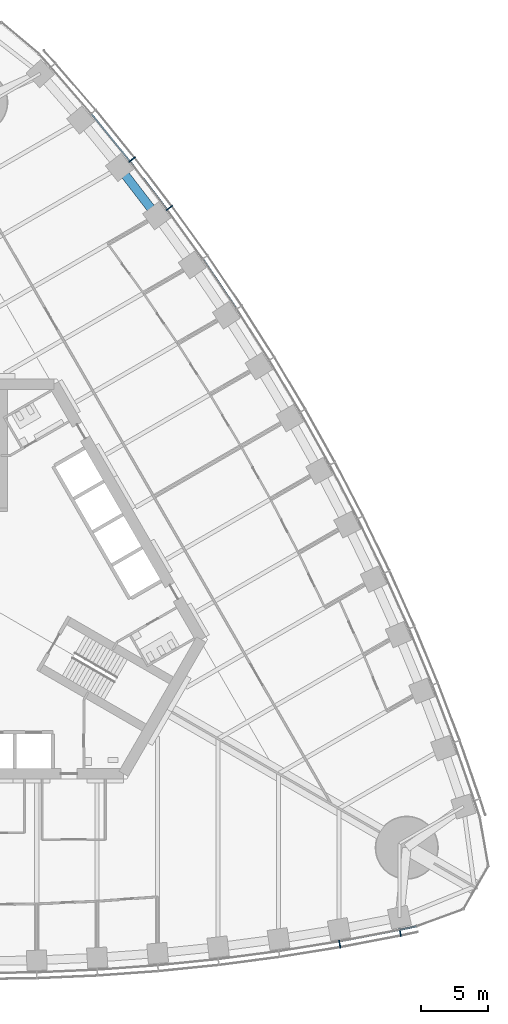
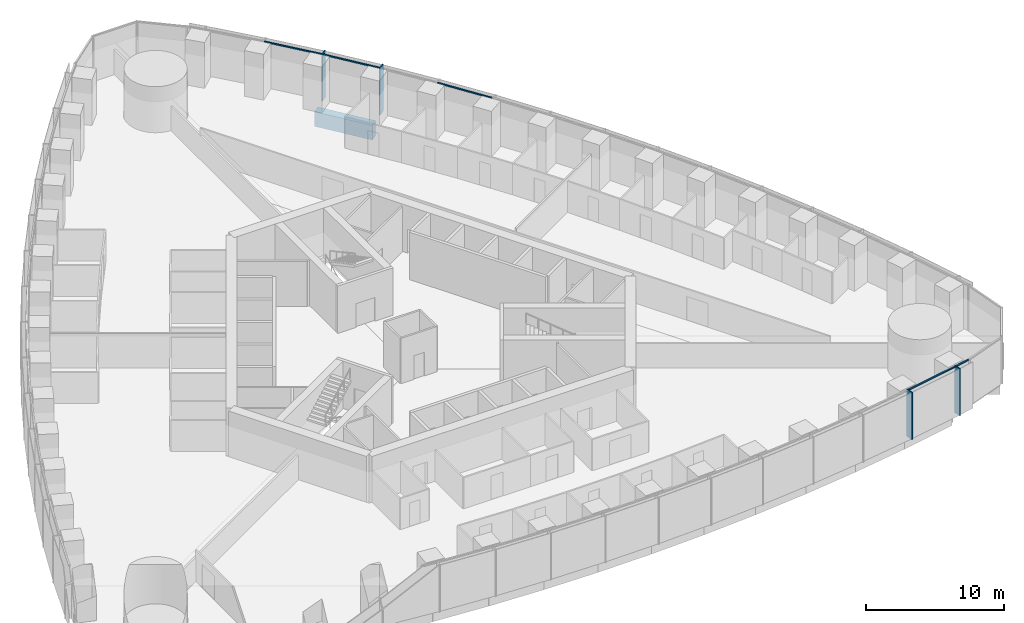
# One storey, part 5 of 18: 9 members, 1 beam, 2 elements without a shape of their own.
"""IFC4 building model written with IfcOpenShell, lengths in metres."""

from ifc_helpers import new_model, si_unit, direction, frame, origin, origin_2d, place, context, subcontext, project, spatial, rectangle, extrude, material, material_profile, profile_set, type_object, element, aggregate, save


model = new_model("IFC4")

# Units and contexts
model_context = context("Model", 3, precision=1e-05, world=origin(), true_north=direction((0.0, 1.0)))
body_context = subcontext(model_context, "Body", "Model", "MODEL_VIEW")
ifc_project = project(units=[si_unit("LENGTHUNIT", "METRE"), si_unit("AREAUNIT", "SQUARE_METRE"), si_unit("VOLUMEUNIT", "CUBIC_METRE"), si_unit("PLANEANGLEUNIT", "RADIAN"), si_unit("MASSUNIT", "GRAM", prefix="KILO")], contexts=[model_context])

# Site, building, storey
site_placement = place(None, origin())
site = spatial("IfcSite", under=ifc_project, at=site_placement, CompositionType="ELEMENT")
building_placement = place(site_placement, origin())
building = spatial("IfcBuilding", under=site, at=building_placement, Name="Trefoil Bronze Tower", CompositionType="ELEMENT")
storey_placement = place(building_placement, frame((0.0, 0.0, 41.699951171875)))
storey = spatial("IfcBuildingStorey", under=building, at=storey_placement, Name="L09", CompositionType="ELEMENT", Elevation=41.699951171875)

# Curtain wall, members
ifc_material_1 = material(Name="Tinted solar-control glass", Category="glass")
curtain_wall_type = type_object("IfcCurtainWallType", Name="Bronze office curtain wall", PredefinedType="USERDEFINED", material=ifc_material_1)
curtain_wall_1_placement = place(storey_placement, origin())
curtain_wall_1 = element("IfcCurtainWall", 1, at=curtain_wall_1_placement, inside=storey, type_object=curtain_wall_type, Name="CW-A L09 F1", ObjectType="CURTAIN WALL", PredefinedType="USERDEFINED")
ifc_material_2 = material(Name="Bronze-finish aluminium", Category="aluminium")
ifc_material_profile_1 = material_profile(ifc_material_2, rectangle(XDim=0.60009765625, YDim=0.080078125, at=origin_2d()), Name="CW-A mullion")
ifc_profile_set_1 = profile_set([ifc_material_profile_1], Name="Bronze-finish aluminium")
member_type_1 = type_object("IfcMemberType", Name="Bronze office curtain wall mullion", PredefinedType="MULLION", material=ifc_profile_set_1)
member_1_placement = place(storey_placement, frame((27.05224609375, -25.67578125, 0.0), z_axis=(0.0, 0.0, 1.0), x_axis=(-0.174131146426, 0.984722470468, 0.0)))
member_1 = element("IfcMember", 2, at=member_1_placement, type_object=member_type_1, Name="CW-A L09 F1 mullion 15", PredefinedType="MULLION", context=body_context, shape_type="SweptSolid", body=[
    extrude(rectangle(XDim=0.60009765625, YDim=0.080078125, at=origin_2d()), origin(), (0.0, 0.0, 1.0), 4.179931640625),
])
member_2_placement = place(storey_placement, frame((31.559326171875, -24.81005859375, 0.0), z_axis=(0.0, 0.0, 1.0), x_axis=(-0.197910006829, 0.98022019424, 0.0)))
member_2 = element("IfcMember", 3, at=member_2_placement, type_object=member_type_1, Name="CW-A L09 F1 mullion 16", PredefinedType="MULLION", context=body_context, shape_type="SweptSolid", body=[
    extrude(rectangle(XDim=0.60009765625, YDim=0.080078125, at=origin_2d()), origin(), (0.0, 0.0, 1.0), 4.179931640625),
])

curtain_wall_2_placement = place(storey_placement, origin())
curtain_wall_2 = element("IfcCurtainWall", 4, at=curtain_wall_2_placement, inside=storey, type_object=curtain_wall_type, Name="CW-A L09 F2", ObjectType="CURTAIN WALL", PredefinedType="USERDEFINED")
member_3_placement = place(storey_placement, frame((14.364013671875, 29.117919921875, 0.0), z_axis=(0.0, 0.0, 1.0), x_axis=(-0.802126748469, -0.59715381552, 0.0)))
member_3 = element("IfcMember", 5, at=member_3_placement, type_object=member_type_1, Name="CW-A L09 F2 mullion 13", PredefinedType="MULLION", context=body_context, shape_type="SweptSolid", body=[
    extrude(rectangle(XDim=0.60009765625, YDim=0.080078125, at=origin_2d()), origin(), (0.0, 0.0, 1.0), 4.179931640625),
])
member_4_placement = place(storey_placement, frame((11.595458984375, 32.7255859375, 0.0), z_axis=(0.0, 0.0, 1.0), x_axis=(-0.784304615744, -0.620375910011, 0.0)))
member_4 = element("IfcMember", 6, at=member_4_placement, type_object=member_type_1, Name="CW-A L09 F2 mullion 14", PredefinedType="MULLION", context=body_context, shape_type="SweptSolid", body=[
    extrude(rectangle(XDim=0.60009765625, YDim=0.080078125, at=origin_2d()), origin(), (0.0, 0.0, 1.0), 4.179931640625),
])

# Member
ifc_material_3 = material(Name="Bronze-finish aluminium", Category="aluminium")
ifc_material_profile_2 = material_profile(ifc_material_3, rectangle(XDim=0.1201171875, YDim=0.10009765625, at=origin_2d()), Name="CW-A transom")
ifc_profile_set_2 = profile_set([ifc_material_profile_2], Name="Bronze-finish aluminium")
member_type_2 = type_object("IfcMemberType", Name="Bronze office curtain wall transom", PredefinedType="USERDEFINED", material=ifc_profile_set_2)
member_5_placement = place(storey_placement, frame((27.05810546875, -25.470947265625, 4.130126953125), z_axis=(0.982053603997, 0.188602011855, 0.0), x_axis=(-0.188602011855, 0.982053603997, 0.0)))
member_5 = element("IfcMember", 7, at=member_5_placement, type_object=member_type_2, Name="CW-A L09 F1 transom 15", ObjectType="TRANSOM", PredefinedType="USERDEFINED", context=body_context, shape_type="SweptSolid", body=[
    extrude(rectangle(XDim=0.1201171875, YDim=0.10009765625, at=origin_2d()), origin(), (0.0, 0.0, 1.0), 4.502197265625),
])

member_6_placement = place(storey_placement, frame((31.559814453125, -24.605712890625, 4.130126953125), z_axis=(0.978266371807, 0.207352129942, 0.0), x_axis=(-0.207352129942, 0.978266371807, 0.0)))
member_6 = element("IfcMember", 8, at=member_6_placement, type_object=member_type_2, Name="CW-A L09 F1 transom 16", ObjectType="TRANSOM", PredefinedType="USERDEFINED", context=body_context, shape_type="SweptSolid", body=[
    extrude(rectangle(XDim=0.1201171875, YDim=0.10009765625, at=origin_2d()), origin(), (0.0, 0.0, 1.0), 1.21044921875),
])

aggregate(curtain_wall_1, [member_1, member_2, member_5, member_6])

member_7_placement = place(storey_placement, frame((19.364990234375, 21.627197265625, 4.130126953125), z_axis=(-0.561508153923, 0.827471203775, 0.0), x_axis=(-0.827471203775, -0.561508153923, 0.0)))
member_7 = element("IfcMember", 9, at=member_7_placement, type_object=member_type_2, Name="CW-A L09 F2 transom 11", ObjectType="TRANSOM", PredefinedType="USERDEFINED", context=body_context, shape_type="SweptSolid", body=[
    extrude(rectangle(XDim=0.1201171875, YDim=0.10009765625, at=origin_2d()), origin(), (0.0, 0.0, 1.0), 4.431884765625),
])

member_8_placement = place(storey_placement, frame((14.178466796875, 29.031494140625, 4.130126953125), z_axis=(-0.608829203216, 0.793301330713, 0.0), x_axis=(-0.793301330713, -0.608829203216, 0.0)))
member_8 = element("IfcMember", 10, at=member_8_placement, type_object=member_type_2, Name="CW-A L09 F2 transom 13", ObjectType="TRANSOM", PredefinedType="USERDEFINED", context=body_context, shape_type="SweptSolid", body=[
    extrude(rectangle(XDim=0.1201171875, YDim=0.10009765625, at=origin_2d()), origin(), (0.0, 0.0, 1.0), 4.458740234375),
])

member_9_placement = place(storey_placement, frame((11.412353515625, 32.6337890625, 4.130126953125), z_axis=(-0.631835540201, 0.775102477185, 0.0), x_axis=(-0.775102477185, -0.631835540201, 0.0)))
member_9 = element("IfcMember", 11, at=member_9_placement, type_object=member_type_2, Name="CW-A L09 F2 transom 14", ObjectType="TRANSOM", PredefinedType="USERDEFINED", context=body_context, shape_type="SweptSolid", body=[
    extrude(rectangle(XDim=0.1201171875, YDim=0.10009765625, at=origin_2d()), origin(), (0.0, 0.0, 1.0), 4.478271484375),
])

aggregate(curtain_wall_2, [member_3, member_4, member_7, member_8, member_9])

# Beam
ifc_material_4 = material(Name="Concrete B80", Category="concrete")
ifc_material_profile_3 = material_profile(ifc_material_4, rectangle(XDim=0.64990234375, YDim=1.300048828125, at=origin_2d()), Name="RC 650x1300")
ifc_profile_set_3 = profile_set([ifc_material_profile_3], Name="Concrete B80")
beam_type = type_object("IfcBeamType", Name="Spandrel beam RC 650x1300", PredefinedType="SPANDREL", material=ifc_profile_set_3)
beam_placement = place(storey_placement, frame((13.42578125, 28.5361328125, -0.849853515625), z_axis=(-0.609338992146, 0.792909826305, 0.0), x_axis=(-0.792909826305, -0.609338992146, 0.0)))
element("IfcBeam", 12, at=beam_placement, inside=storey, type_object=beam_type, Name="Spandrel F2.13 L09", PredefinedType="SPANDREL", context=body_context, shape_type="SweptSolid", body=[
    extrude(rectangle(XDim=0.64990234375, YDim=1.300048828125, at=origin_2d()), origin(), (0.0, 0.0, 1.0), 4.5390625),
])

save(model, "model.ifc")
